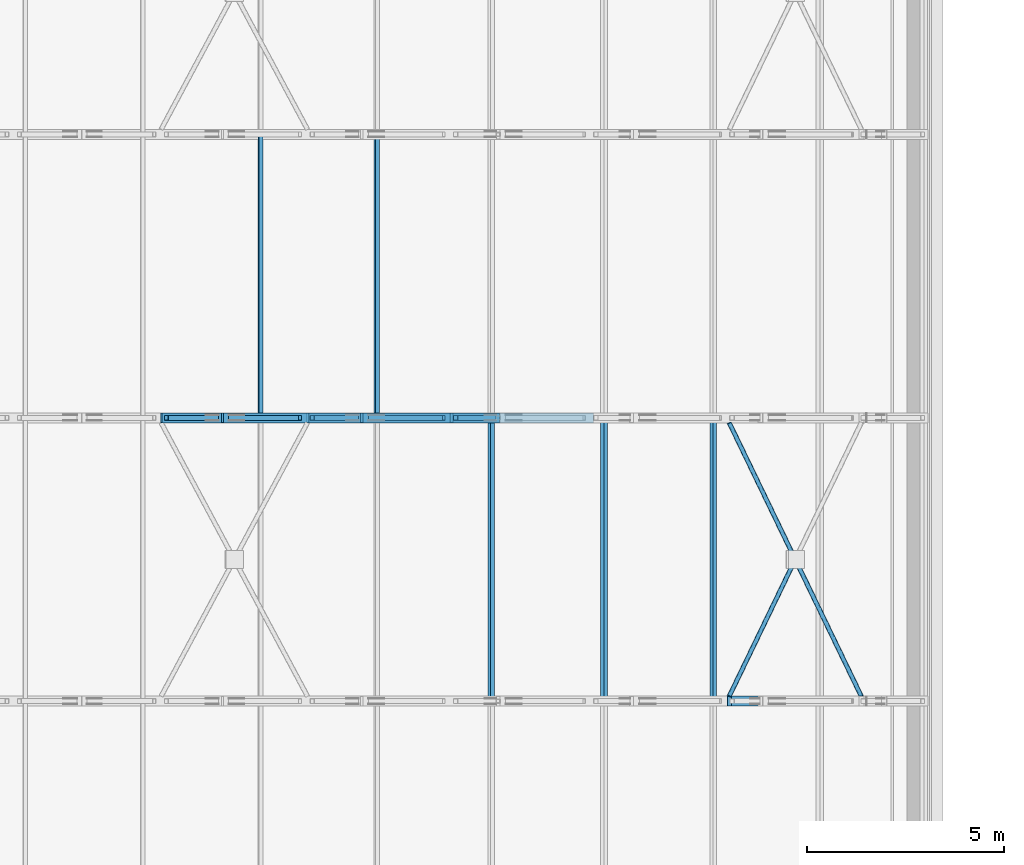
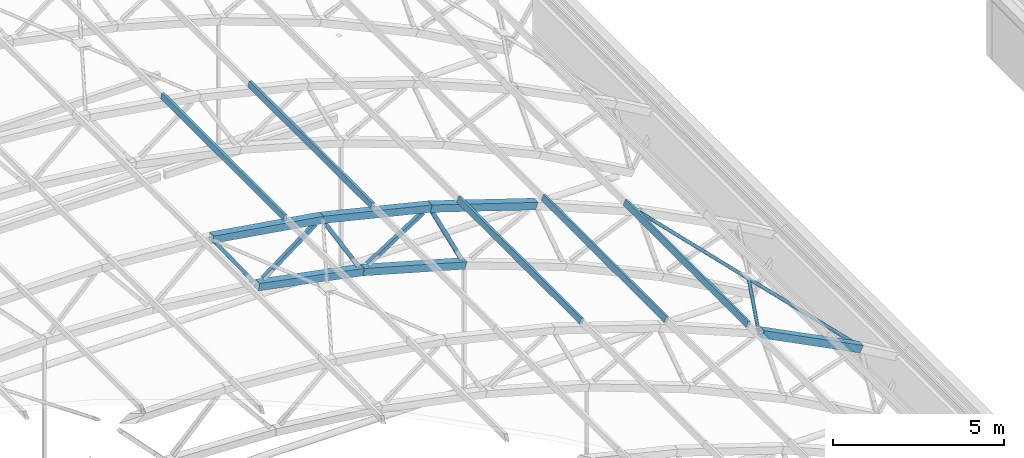
# One storey, part 24 of 127: 18 members.
"""IFC4 building model written with IfcOpenShell, lengths in metres."""

from ifc_helpers import new_model, si_unit, direction, frame, origin, origin_2d, place, context, subcontext, project, spatial, hollow_rectangle, hollow_circle, extrude, material, material_profile, profile_set, type_object, element, save


model = new_model("IFC4")

# Units and contexts
model_context = context("Model", 3, precision=1e-05, world=origin(), true_north=direction((0.0, 1.0)))
body_context = subcontext(model_context, "Body", "Model", "MODEL_VIEW")
ifc_project = project(units=[si_unit("LENGTHUNIT", "METRE"), si_unit("AREAUNIT", "SQUARE_METRE"), si_unit("VOLUMEUNIT", "CUBIC_METRE"), si_unit("PLANEANGLEUNIT", "RADIAN"), si_unit("MASSUNIT", "GRAM", prefix="KILO")], contexts=[model_context])

# Site, building, storey
site_placement = place(None, origin())
site = spatial("IfcSite", under=ifc_project, at=site_placement, CompositionType="ELEMENT")
building_placement = place(site_placement, origin())
building = spatial("IfcBuilding", under=site, at=building_placement, Name="Verrick Yard Athletic Hall", CompositionType="ELEMENT")
storey_placement = place(building_placement, frame((0.0, 0.0, 14.0)))
storey = spatial("IfcBuildingStorey", under=building, at=storey_placement, Name="L03", CompositionType="ELEMENT", Elevation=14.0)

# Members
ifc_material = material(Name="Structural steel HSS Class C 350W (CSA G40.20/G40.21)", Category="steel")
ifc_material_profile_1 = material_profile(ifc_material, hollow_rectangle(XDim=0.25390625, YDim=0.25390625, WallThickness=0.009521484375, at=origin_2d()), Name="HSS254x254x9.5")
ifc_profile_set_1 = profile_set([ifc_material_profile_1], Name="Structural steel HSS Class C 350W (CSA G40.20/G40.21)")
member_type_1 = type_object("IfcMemberType", Name="HB bottom chord HSS254x254x9.5", PredefinedType="CHORD", material=ifc_profile_set_1)
member_1_placement = place(storey_placement, frame((59.189208984375, 93.60009765625, 6.191650390625), z_axis=(0.980848695375, 0.0, -0.194771242181), x_axis=(0.0, 1.0, 0.0)))
element("IfcMember", 1, at=member_1_placement, inside=storey, type_object=member_type_1, Name="Truss TB4 bottom chord 10", PredefinedType="CHORD", context=body_context, shape_type="SweptSolid", body=[
    extrude(hollow_rectangle(XDim=0.25390625, YDim=0.25390625, WallThickness=0.009521484375, at=origin_2d()), origin(), (0.0, 0.0, 1.0), 3.59619140625),
])
member_2_placement = place(storey_placement, frame((62.726318359375, 93.60009765625, 5.489013671875), z_axis=(0.962572378456, 0.0, -0.271024752066), x_axis=(0.0, 1.0, 0.0)))
element("IfcMember", 2, at=member_2_placement, inside=storey, type_object=member_type_1, Name="Truss TB4 bottom chord 11", PredefinedType="CHORD", context=body_context, shape_type="SweptSolid", body=[
    extrude(hollow_rectangle(XDim=0.25390625, YDim=0.25390625, WallThickness=0.009521484375, at=origin_2d()), origin(), (0.0, 0.0, 1.0), 3.595947265625),
])
ifc_material_profile_2 = material_profile(ifc_material, hollow_rectangle(XDim=0.1015625, YDim=0.203125, WallThickness=0.009521484375, at=origin_2d()), Name="HSS203x102x9.5")
ifc_profile_set_2 = profile_set([ifc_material_profile_2], Name="Structural steel HSS Class C 350W (CSA G40.20/G40.21)")
member_type_2 = type_object("IfcMemberType", Name="HB purlin HSS203x102x9.5", PredefinedType="PURLIN", material=ifc_profile_set_2)
for number, where, z_axis, x_axis, name in (
    (3, (66.0205078125, 86.39990234375, 6.872802734375), (0.0, 1.0, 0.0), (-0.951213620533, 0.0, 0.308533058379), "HB-PU-B-3-14"),
    (4, (68.885009765625, 86.39990234375, 5.92431640625), (0.0, 1.0, 0.0), (-0.924122791552, 0.0, 0.382095624331), "HB-PU-B-3-15"),
    (5, (71.6572265625, 86.39990234375, 4.778076171875), (0.0, 1.0, 0.0), (-0.924122791552, 0.0, 0.382095624331), "HB-PU-B-3-16"),
):
    element("IfcMember", number, at=place(storey_placement, frame(where, z_axis=z_axis, x_axis=x_axis)), inside=storey, type_object=member_type_2, Name=name, PredefinedType="PURLIN", context=body_context, shape_type="SweptSolid", body=[
        extrude(hollow_rectangle(XDim=0.1015625, YDim=0.203125, WallThickness=0.009521484375, at=origin_2d()), origin(), (0.0, 0.0, 1.0), 7.2001953125),
    ])
for number, where, z_axis, x_axis, name in (
    (6, (60.153076171875, 93.60009765625, 8.258544921875), (0.0, 1.0, 0.0), (-0.987728086354, 0.0, 0.156183313539), "HB-PU-B-4-12"),
    (7, (63.10693359375, 93.60009765625, 7.651611328125), (0.0, 1.0, 0.0), (-0.972458956474, 0.0, 0.23307418985), "HB-PU-B-4-13"),
):
    element("IfcMember", number, at=place(storey_placement, frame(where, z_axis=z_axis, x_axis=x_axis)), inside=storey, type_object=member_type_2, Name=name, PredefinedType="PURLIN", context=body_context, shape_type="SweptSolid", body=[
        extrude(hollow_rectangle(XDim=0.1015625, YDim=0.203125, WallThickness=0.009521484375, at=origin_2d()), origin(), (0.0, 0.0, 1.0), 7.199951171875),
    ])
ifc_material_profile_3 = material_profile(ifc_material, hollow_circle(Radius=0.05712890625, WallThickness=0.00634765625, at=origin_2d()), Name="HSS114x6.4")
ifc_profile_set_3 = profile_set([ifc_material_profile_3], Name="Structural steel HSS Class C 350W (CSA G40.20/G40.21)")
member_type_3 = type_object("IfcMemberType", Name="HB roof brace HSS114x6.4", PredefinedType="BRACE", material=ifc_profile_set_3)
member_3_placement = place(storey_placement, frame((72.065185546875, 86.527099609375, 4.362060546875), z_axis=(0.424555063526, 0.879276717205, -0.215929276887), x_axis=(-0.90052090018, 0.434812727895, 0.0)))
element("IfcMember", 8, at=member_3_placement, inside=storey, type_object=member_type_3, Name="HB-BR-B-3-12b1", PredefinedType="BRACE", context=body_context, shape_type="SweptSolid", body=[
    extrude(hollow_circle(Radius=0.05712890625, WallThickness=0.00634765625, at=origin_2d()), origin(), (0.0, 0.0, 1.0), 3.84423828125),
])
member_4_placement = place(storey_placement, frame((75.419189453125, 86.527099609375, 2.65625), z_axis=(-0.424580314375, 0.879262625126, 0.215937010958), x_axis=(-0.90050804506, -0.434839350546, 0.0)))
element("IfcMember", 9, at=member_4_placement, inside=storey, type_object=member_type_3, Name="HB-BR-B-3-12a", PredefinedType="BRACE", context=body_context, shape_type="SweptSolid", body=[
    extrude(hollow_circle(Radius=0.05712890625, WallThickness=0.00634765625, at=origin_2d()), origin(), (0.0, 0.0, 1.0), 7.899658203125),
])
ifc_material_profile_4 = material_profile(ifc_material, hollow_rectangle(XDim=0.25390625, YDim=0.25390625, WallThickness=0.009521484375, at=origin_2d()), Name="HSS254x254x9.5")
ifc_profile_set_4 = profile_set([ifc_material_profile_4], Name="Structural steel HSS Class C 350W (CSA G40.20/G40.21)")
member_type_4 = type_object("IfcMemberType", Name="HB top chord HSS254x254x9.5", PredefinedType="CHORD", material=ifc_profile_set_4)
member_5_placement = place(storey_placement, frame((72.069580078125, 86.39990234375, 4.35986328125), z_axis=(0.891336584454, 0.0, -0.453342137037), x_axis=(0.0, 1.0, 0.0)))
element("IfcMember", 10, at=member_5_placement, inside=storey, type_object=member_type_4, Name="Truss TB3 top chord 14", PredefinedType="CHORD", context=body_context, shape_type="SweptSolid", body=[
    extrude(hollow_rectangle(XDim=0.25390625, YDim=0.25390625, WallThickness=0.009521484375, at=origin_2d()), origin(), (0.0, 0.0, 1.0), 3.754150390625),
])
member_6_placement = place(storey_placement, frame((57.6376953125, 93.60009765625, 8.4248046875), z_axis=(0.987726014692, 0.0, -0.156196414495), x_axis=(0.0, 1.0, 0.0)))
element("IfcMember", 11, at=member_6_placement, inside=storey, type_object=member_type_4, Name="Truss TB4 top chord 10", PredefinedType="CHORD", context=body_context, shape_type="SweptSolid", body=[
    extrude(hollow_rectangle(XDim=0.25390625, YDim=0.25390625, WallThickness=0.009521484375, at=origin_2d()), origin(), (0.0, 0.0, 1.0), 3.7529296875),
])
for number, where, z_axis, x_axis, name in (
    (12, (61.354248046875, 93.60009765625, 7.836669921875), (0.972453991168, 0.0, -0.233094905697), (0.0, 1.0, 0.0), "Truss TB4 top chord 11"),
    (13, (65.013427734375, 93.60009765625, 6.959228515625), (0.951202693453, 0.0, -0.308566744754), (0.0, 1.0, 0.0), "Truss TB4 top chord 12"),
):
    element("IfcMember", number, at=place(storey_placement, frame(where, z_axis=z_axis, x_axis=x_axis)), inside=storey, type_object=member_type_4, Name=name, PredefinedType="CHORD", context=body_context, shape_type="SweptSolid", body=[
        extrude(hollow_rectangle(XDim=0.25390625, YDim=0.25390625, WallThickness=0.009521484375, at=origin_2d()), origin(), (0.0, 0.0, 1.0), 3.752685546875),
    ])
ifc_material_profile_5 = material_profile(ifc_material, hollow_rectangle(XDim=0.126953125, YDim=0.126953125, WallThickness=0.009521484375, at=origin_2d()), Name="HSS127x127x9.5")
ifc_profile_set_5 = profile_set([ifc_material_profile_5], Name="Structural steel HSS Class C 350W (CSA G40.20/G40.21)")
member_type_5 = type_object("IfcMemberType", Name="HB truss web HSS127x127x9.5", PredefinedType="BRACE", material=ifc_profile_set_5)
member_7_placement = place(storey_placement, frame((57.767822265625, 93.60009765625, 8.231201171875), z_axis=(0.570664111571, 0.0, -0.821183579819), x_axis=(0.0, 1.0, 0.0)))
element("IfcMember", 14, at=member_7_placement, inside=storey, type_object=member_type_5, Name="Truss TB4 web 18", PredefinedType="BRACE", context=body_context, shape_type="SweptSolid", body=[
    extrude(hollow_rectangle(XDim=0.126953125, YDim=0.126953125, WallThickness=0.009521484375, at=origin_2d()), origin(), (0.0, 0.0, 1.0), 2.233642578125),
])
member_8_placement = place(storey_placement, frame((59.382568359375, 93.60009765625, 6.34326171875), z_axis=(0.796206425538, 0.0, 0.605025063887), x_axis=(0.0, 1.0, 0.0)))
element("IfcMember", 15, at=member_8_placement, inside=storey, type_object=member_type_5, Name="Truss TB4 web 19", PredefinedType="BRACE", context=body_context, shape_type="SweptSolid", body=[
    extrude(hollow_rectangle(XDim=0.126953125, YDim=0.126953125, WallThickness=0.009521484375, at=origin_2d()), origin(), (0.0, 0.0, 1.0), 2.2333984375),
])
for number, where, z_axis, x_axis, name in (
    (16, (61.46875, 93.60009765625, 7.633544921875), (0.504625153938, 0.0, -0.863338551214), (0.0, 1.0, 0.0), "Truss TB4 web 20"),
    (17, (62.9306640625, 93.60009765625, 5.624755859375), (0.841118094735, 0.0, 0.54085150523), (0.0, 1.0, 0.0), "Truss TB4 web 21"),
    (18, (65.111572265625, 93.60009765625, 6.74755859375), (0.435458074734, 0.0, -0.900209011924), (0.0, 1.0, 0.0), "Truss TB4 web 22"),
):
    element("IfcMember", number, at=place(storey_placement, frame(where, z_axis=z_axis, x_axis=x_axis)), inside=storey, type_object=member_type_5, Name=name, PredefinedType="BRACE", context=body_context, shape_type="SweptSolid", body=[
        extrude(hollow_rectangle(XDim=0.126953125, YDim=0.126953125, WallThickness=0.009521484375, at=origin_2d()), origin(), (0.0, 0.0, 1.0), 2.233642578125),
    ])

save(model, "model.ifc")
